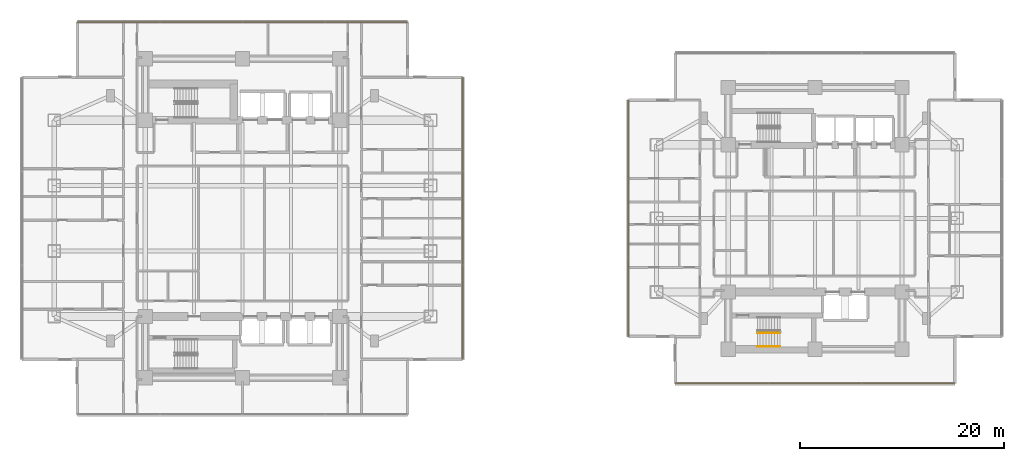
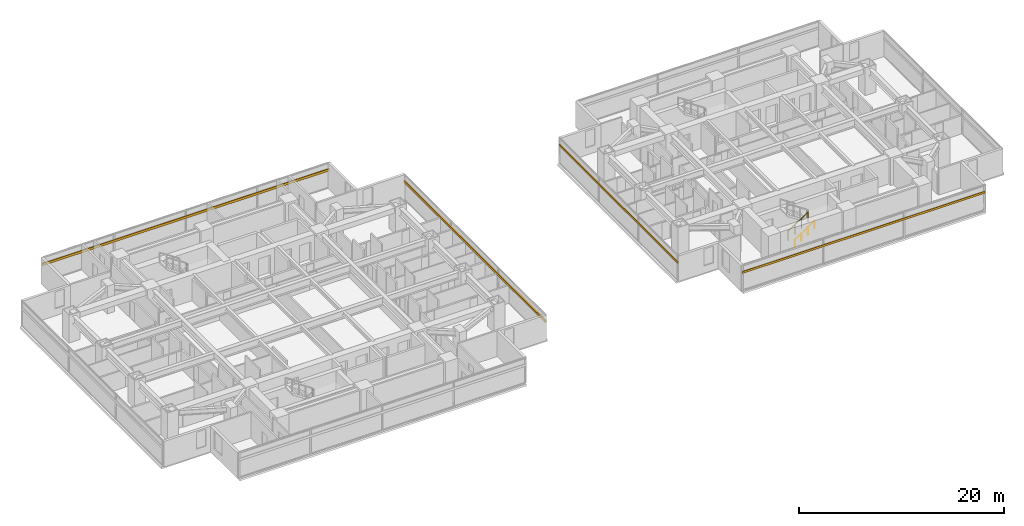
# One storey, part 21 of 23: 4 shading devices, 2 railings.
"""IFC4 building model written with IfcOpenShell, lengths in metres."""

from ifc_helpers import new_model, si_unit, direction, frame, origin, origin_2d, place, context, subcontext, project, spatial, rectangle, circle, extrude, material, material_profile, profile_set, type_object, element, save


model = new_model("IFC4")

# Units and contexts
model_context = context("Model", 3, precision=1e-05, world=origin(), true_north=direction((0.0, 1.0)))
body_context = subcontext(model_context, "Body", "Model", "MODEL_VIEW")
ifc_project = project(units=[si_unit("LENGTHUNIT", "METRE"), si_unit("AREAUNIT", "SQUARE_METRE"), si_unit("VOLUMEUNIT", "CUBIC_METRE"), si_unit("PLANEANGLEUNIT", "RADIAN"), si_unit("MASSUNIT", "GRAM", prefix="KILO")], contexts=[model_context])

# Site, building, storey
site_placement = place(None, origin())
site = spatial("IfcSite", under=ifc_project, at=site_placement, CompositionType="ELEMENT")
building_placement = place(site_placement, origin())
building = spatial("IfcBuilding", under=site, at=building_placement, Name="Mirazonda Arch Towers", CompositionType="ELEMENT")
storey_placement = place(building_placement, frame((0.0, 0.0, 29.0)))
storey = spatial("IfcBuildingStorey", under=building, at=storey_placement, Name="L07", CompositionType="ELEMENT", Elevation=29.0)

# Shading devices
ifc_material_1 = material(Name="Kiln-Fired Architectural Terracotta", Category="masonry")
ifc_material_profile_1 = material_profile(ifc_material_1, rectangle(XDim=0.1201171875, YDim=0.239990234375, at=origin_2d()), Name="TERRA-BAG-120x240")
ifc_profile_set_1 = profile_set([ifc_material_profile_1], Name="Kiln-Fired Architectural Terracotta")
shading_device_type_1 = type_object("IfcShadingDeviceType", Name="BAGUETTE-1", PredefinedType="USERDEFINED", material=ifc_profile_set_1)
shading_device_1_placement = place(storey_placement, frame((90.176025390625, 11.853515625, 2.188720703125), z_axis=(-1.0, 0.0, 0.0), x_axis=(0.0, -1.0, 0.0)))
element("IfcShadingDevice", 1, at=shading_device_1_placement, inside=storey, type_object=shading_device_type_1, Name="L07 Glazed Terracotta Sun-Screen Baguette CW-L07-T2-S", ObjectType="BAGUETTE", PredefinedType="USERDEFINED", context=body_context, shape_type="SweptSolid", body=[
    extrude(rectangle(XDim=0.1201171875, YDim=0.239990234375, at=origin_2d()), origin(), (0.0, 0.0, 1.0), 27.35205078125),
])
shading_device_2_placement = place(storey_placement, frame((58.243896484375, 39.566650390625, 2.188720703125), z_axis=(0.0, -1.0, 0.0), x_axis=(1.0, 0.0, 0.0)))
element("IfcShadingDevice", 2, at=shading_device_2_placement, inside=storey, type_object=shading_device_type_1, Name="L07 Glazed Terracotta Sun-Screen Baguette CW-L07-T2-W", ObjectType="BAGUETTE", PredefinedType="USERDEFINED", context=body_context, shape_type="SweptSolid", body=[
    extrude(rectangle(XDim=0.1201171875, YDim=0.239990234375, at=origin_2d()), origin(), (0.0, 0.0, 1.0), 23.13330078125),
])
ifc_material_profile_2 = material_profile(ifc_material_1, rectangle(XDim=0.139892578125, YDim=0.280029296875, at=origin_2d()), Name="TERRA-BAG-140x280")
ifc_profile_set_2 = profile_set([ifc_material_profile_2], Name="Kiln-Fired Architectural Terracotta")
shading_device_type_2 = type_object("IfcShadingDeviceType", Name="BAGUETTE-3", PredefinedType="USERDEFINED", material=ifc_profile_set_2)
shading_device_3_placement = place(storey_placement, frame((42.0400390625, 14.2041015625, 2.188720703125), z_axis=(0.0, 1.0, 0.0), x_axis=(-1.0, 0.0, 0.0)))
element("IfcShadingDevice", 3, at=shading_device_3_placement, inside=storey, type_object=shading_device_type_2, Name="L07 Glazed Terracotta Sun-Screen Baguette CW-L07-T1-E", ObjectType="BAGUETTE", PredefinedType="USERDEFINED", context=body_context, shape_type="SweptSolid", body=[
    extrude(rectangle(XDim=0.139892578125, YDim=0.280029296875, at=origin_2d()), origin(), (0.0, 0.0, 1.0), 27.591796875),
])
shading_device_4_placement = place(storey_placement, frame((4.340087890625, 47.176025390625, 2.188720703125), z_axis=(1.0, 0.0, 0.0), x_axis=(0.0, 1.0, 0.0)))
element("IfcShadingDevice", 4, at=shading_device_4_placement, inside=storey, type_object=shading_device_type_2, Name="L07 Glazed Terracotta Sun-Screen Baguette CW-L07-T1-N", ObjectType="BAGUETTE", PredefinedType="USERDEFINED", context=body_context, shape_type="SweptSolid", body=[
    extrude(rectangle(XDim=0.139892578125, YDim=0.280029296875, at=origin_2d()), origin(), (0.0, 0.0, 1.0), 32.31982421875),
])

# Railings
ifc_material_2 = material(Name="Architectural Brushed Steel S355", Category="steel")
railing_type_1 = type_object("IfcRailingType", Name="GUARD-STAIR-1120", PredefinedType="GUARDRAIL", material=ifc_material_2)
railing_1_placement = place(storey_placement, frame((70.85009765625, 16.77001953125, 0.183349609375)))
element("IfcRailing", 5, at=railing_1_placement, inside=storey, type_object=railing_type_1, Name="L07 ST-T2S stair guard 1", PredefinedType="GUARDRAIL", context=body_context, shape_type="SweptSolid", body=[
    extrude(circle(Radius=0.02392578125, at=origin_2d()), frame((0.0, 0.0, 1.1259765625), z_axis=(0.836636935527, 0.0, 0.547757827979), x_axis=(0.0, 1.0, 0.0)), (0.0, 0.0, 1.0), 2.677490234375),
    extrude(circle(Radius=0.02099609375, at=origin_2d()), origin(), (0.0, 0.0, 1.0), 1.101806640625),
    extrude(circle(Radius=0.02099609375, at=origin_2d()), frame((0.74658203125, 0.0, 0.48876953125)), (0.0, 0.0, 1.0), 1.101806640625),
    extrude(circle(Radius=0.02099609375, at=origin_2d()), frame((1.493408203125, 0.0, 0.977783203125)), (0.0, 0.0, 1.0), 1.101806640625),
    extrude(circle(Radius=0.02099609375, at=origin_2d()), frame((2.239990234375, 0.0, 1.466552734375)), (0.0, 0.0, 1.0), 1.101806640625),
])
railing_type_2 = type_object("IfcRailingType", Name="HANDRAIL-915", PredefinedType="HANDRAIL", material=ifc_material_2)
railing_2_placement = place(storey_placement, frame((70.85009765625, 15.469970703125, 0.183349609375)))
element("IfcRailing", 6, at=railing_2_placement, inside=storey, type_object=railing_type_2, Name="L07 ST-T2S stair handrail 1", PredefinedType="HANDRAIL", context=body_context, shape_type="SweptSolid", body=[
    extrude(circle(Radius=0.02392578125, at=origin_2d()), frame((0.0, 0.0, 0.8759765625), z_axis=(0.836636935527, 0.0, 0.547757827979), x_axis=(0.0, 1.0, 0.0)), (0.0, 0.0, 1.0), 2.677490234375),
    extrude(circle(Radius=0.02099609375, at=origin_2d()), origin(), (0.0, 0.0, 1.0), 0.851806640625),
    extrude(circle(Radius=0.02099609375, at=origin_2d()), frame((0.74658203125, 0.0, 0.48876953125)), (0.0, 0.0, 1.0), 0.851806640625),
    extrude(circle(Radius=0.02099609375, at=origin_2d()), frame((1.493408203125, 0.0, 0.977783203125)), (0.0, 0.0, 1.0), 0.851806640625),
    extrude(circle(Radius=0.02099609375, at=origin_2d()), frame((2.239990234375, 0.0, 1.466552734375)), (0.0, 0.0, 1.0), 0.851806640625),
])

save(model, "model.ifc")
